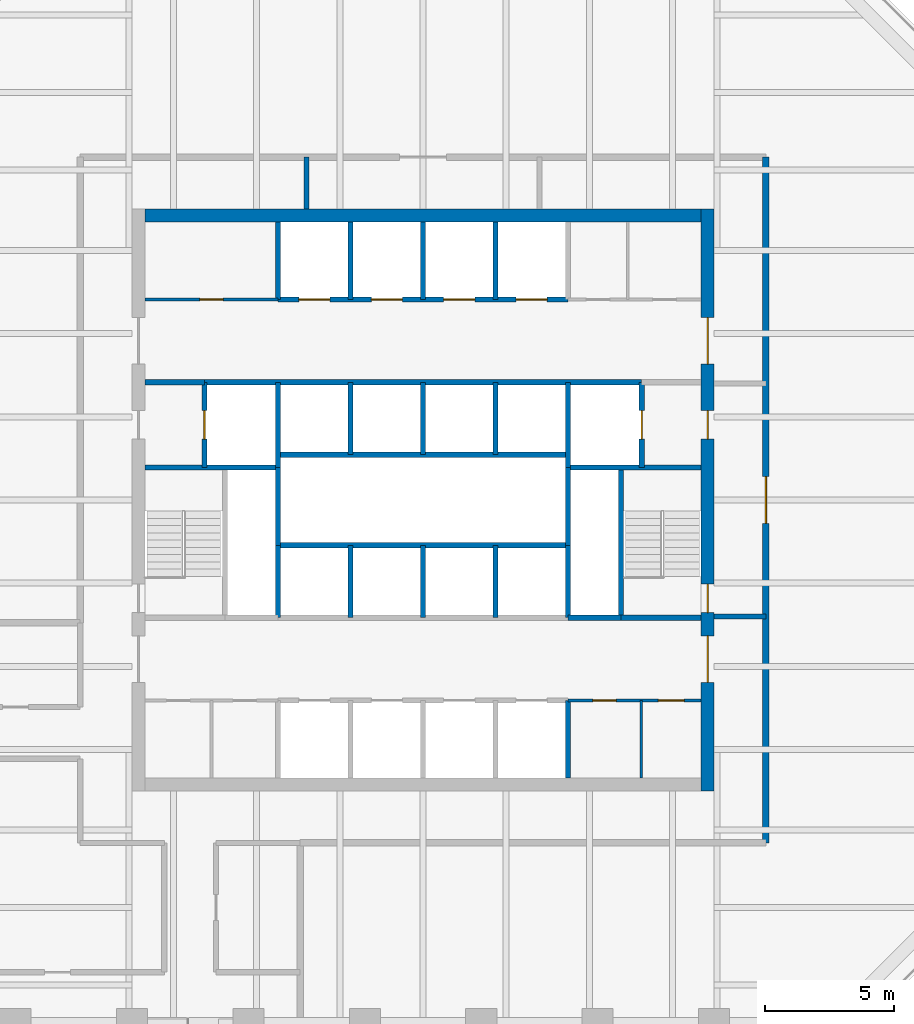
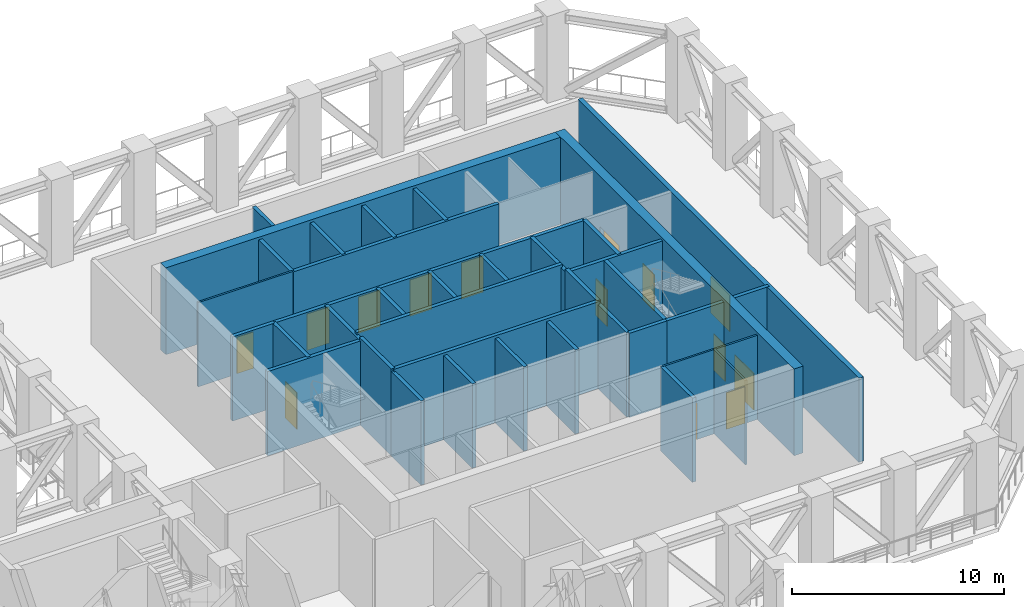
# One storey, part 7 of 16: 37 walls, 14 doors, 14 openings.
"""IFC4 building model written with IfcOpenShell, lengths in metres."""

import ifcopenshell
import ifcopenshell.guid

model = None  # the IFC model being written
_history = None  # IfcOwnerHistory: only IFC2X3 demands one
_inside = {}  # id of a spatial element -> (the spatial element, [elements in it])
_under = {}  # id of a project, library or spatial element -> (it, [spatial elements below it])
_declared = {}  # id of a project -> (the project, [libraries it declares])
_typed = {}  # id of a type object -> (the type object, [elements of that type])
_made_of = {}  # id of a material, layer set ... -> (it, [elements and type objects made of it])


def new_model(schema):
    """Start an empty IFC model of exactly this schema.

    Asked for "IFC4X3", IfcOpenShell would pick the latest addendum, in which some entities
    have other attributes; the version numbers below select the first issue.
    IFC2X3 requires an IfcOwnerHistory on every rooted entity: one is made here for all.
    """
    global model, _history
    if schema == "IFC4X3":
        model = ifcopenshell.file(schema_version=(4, 3, 0, 0))
    else:
        model = ifcopenshell.file(schema=schema)
    _inside.clear()
    _under.clear()
    _declared.clear()
    _typed.clear()
    _made_of.clear()
    _history = None
    if model.schema == "IFC2X3":
        org = make("IfcOrganization", Name="unknown")
        user = make(
            "IfcPersonAndOrganization",
            ThePerson=make("IfcPerson", FamilyName="unknown"),
            TheOrganization=org,
        )
        app = make(
            "IfcApplication",
            ApplicationDeveloper=org,
            Version="unknown",
            ApplicationFullName="unknown",
            ApplicationIdentifier="unknown",
        )
        _history = make(
            "IfcOwnerHistory",
            OwningUser=user,
            OwningApplication=app,
            ChangeAction="ADDED",
            CreationDate=0,
        )
    return model


def make(cls, **values):
    """One entity of the class cls with the attributes given. An attribute that is None is left unset."""
    return model.create_entity(
        cls, **{name: value for name, value in values.items() if value is not None}
    )


def rooted(cls, **values):
    """An entity with a GlobalId (a new one), such as an element, a storey or a relation."""
    return make(cls, GlobalId=ifcopenshell.guid.new(), OwnerHistory=_history, **values)


def si_unit(unit_type, name, prefix=None):
    """IfcSIUnit, for example si_unit("LENGTHUNIT", "METRE", prefix="MILLI")."""
    return make("IfcSIUnit", UnitType=unit_type, Prefix=prefix, Name=name)


def assignment(units):
    """IfcUnitAssignment: the units of a project."""
    return None if units is None else make("IfcUnitAssignment", Units=units)


def point(xyz):
    """IfcCartesianPoint."""
    return None if xyz is None else make("IfcCartesianPoint", Coordinates=xyz)


def direction(xyz):
    """IfcDirection."""
    return None if xyz is None else make("IfcDirection", DirectionRatios=xyz)


def frame(location, z_axis=None, x_axis=None):
    """IfcAxis2Placement3D, a coordinate frame: its origin and axes. An axis left out is left unset."""
    return make(
        "IfcAxis2Placement3D",
        Location=point(location),
        Axis=direction(z_axis),
        RefDirection=direction(x_axis),
    )


def frame_2d(location, x_axis=None):
    """IfcAxis2Placement2D, a coordinate frame in the plane: its origin and x axis."""
    return make(
        "IfcAxis2Placement2D", Location=point(location), RefDirection=direction(x_axis)
    )


def origin():
    """The frame at (0, 0, 0) with its axes left unset."""
    return frame((0.0, 0.0, 0.0))


def place(relative_to, where):
    """IfcLocalPlacement: puts the frame where relative to a parent placement (None: the world)."""
    return make(
        "IfcLocalPlacement", PlacementRelTo=relative_to, RelativePlacement=where
    )


def context(
    kind, dimensions, precision=None, world=None, true_north=None, identifier=None
):
    """IfcGeometricRepresentationContext, for example the 3D "Model" context."""
    return make(
        "IfcGeometricRepresentationContext",
        ContextIdentifier=identifier,
        ContextType=kind,
        CoordinateSpaceDimension=dimensions,
        Precision=precision,
        WorldCoordinateSystem=world,
        TrueNorth=true_north,
    )


def subcontext(parent, identifier, kind, view, scale=None):
    """IfcGeometricRepresentationSubContext, for example "Body" below "Model"."""
    return make(
        "IfcGeometricRepresentationSubContext",
        ContextIdentifier=identifier,
        ContextType=kind,
        ParentContext=parent,
        TargetScale=scale,
        TargetView=view,
    )


def project(units=None, contexts=None):
    """IfcProject with its units and contexts."""
    return rooted(
        "IfcProject",
        Name="project",
        RepresentationContexts=contexts,
        UnitsInContext=assignment(units),
    )


def spatial(cls, under=None, at=None, **own):
    """A site, building, storey or space (cls), placed at a placement, below another one or the project."""
    s = rooted(cls, ObjectPlacement=at, **own)
    if under is not None:
        _under.setdefault(under.id(), (under, []))[1].append(s)
    return s


def profile(cls, at=None, kind="AREA", **sizes):
    """A parametric profile (cls). Its sizes go by their IFC names, for example OverallWidth=200.0."""
    return make(cls, ProfileType=kind, Position=at, **sizes)


def rectangle(**sizes):
    """IfcRectangleProfileDef."""
    return profile("IfcRectangleProfileDef", **sizes)


def extrude(swept, where, along, depth):
    """IfcExtrudedAreaSolid: the profile swept, set in the frame where, extruded along a direction by depth."""
    return make(
        "IfcExtrudedAreaSolid",
        SweptArea=swept,
        Position=where,
        ExtrudedDirection=direction(along),
        Depth=depth,
    )


def shape(context_of_items, identifier, shape_type, items):
    """IfcShapeRepresentation: the items that make up one representation, for example the "Body"."""
    return make(
        "IfcShapeRepresentation",
        ContextOfItems=context_of_items,
        RepresentationIdentifier=identifier,
        RepresentationType=shape_type,
        Items=items,
    )


def material(Name=None, Category=None):
    """IfcMaterial."""
    return make("IfcMaterial", Name=Name, Category=Category)


def layer(
    of_material, thickness, ventilated=None, Name=None, Category=None, Priority=None
):
    """IfcMaterialLayer: one layer of a wall or slab, of a material (None: an air gap)."""
    return make(
        "IfcMaterialLayer",
        Material=of_material,
        LayerThickness=thickness,
        IsVentilated=ventilated,
        Name=Name,
        Category=Category,
        Priority=Priority,
    )


def layer_set(layers, Name=None):
    """IfcMaterialLayerSet."""
    return make("IfcMaterialLayerSet", MaterialLayers=layers, LayerSetName=Name)


def made_of(thing, what):
    """Note that an element or type object is made of a material, layer set ...; save() writes the relation."""
    if what is not None:
        _made_of.setdefault(what.id(), (what, []))[1].append(thing)
    return thing


def type_object(cls, material=None, **own):
    """A type object (cls), such as IfcWallType, which elements share."""
    return made_of(rooted(cls, **own), material)


def element(
    cls,
    number,
    at=None,
    inside=None,
    cuts=None,
    type_object=None,
    material=None,
    context=None,
    identifier="Body",
    shape_type=None,
    held_by="IfcProductDefinitionShape",
    body=None,
    shapes=None,
    **own,
):
    """One element of the class cls, such as IfcWall. Its Tag is "e" and its number.

    at: its placement. inside: the storey or other place that contains it. cuts: it is an
    opening in that element (IfcRelVoidsElement). A single representation is given by context,
    identifier, shape_type and body (its items); several are given by shapes. held_by: the class
    of the entity that holds the representations. save() writes the other relations.
    """
    e = rooted(cls, Tag="e%d" % number, ObjectPlacement=at, **own)
    if body is not None:
        shapes = [shape(context, identifier, shape_type, body)]
    if shapes is not None:
        e.Representation = make(held_by, Representations=shapes)
    if inside is not None:
        _inside.setdefault(inside.id(), (inside, []))[1].append(e)
    if cuts is not None:
        rooted(
            "IfcRelVoidsElement", RelatingBuildingElement=cuts, RelatedOpeningElement=e
        )
    if type_object is not None:
        _typed.setdefault(type_object.id(), (type_object, []))[1].append(e)
    return made_of(e, material)


def fill(opening, filler):
    """IfcRelFillsElement: the door or window that sits in an opening."""
    return rooted(
        "IfcRelFillsElement",
        RelatingOpeningElement=opening,
        RelatedBuildingElement=filler,
    )


def aggregate(whole, parts):
    """IfcRelAggregates: a whole, such as a stair, and the parts it consists of."""
    return rooted("IfcRelAggregates", RelatingObject=whole, RelatedObjects=parts)


def save(model, path):
    """Write the relations noted so far, then the file.

    IfcRelAggregates (storeys below a building ...), IfcRelContainedInSpatialStructure (elements
    in a storey), IfcRelDefinesByType, IfcRelAssociatesMaterial and IfcRelDeclares: one each for
    every whole, place, type object, material and project.
    """
    for whole, parts in _under.values():
        aggregate(whole, parts)
    for where, things in _inside.values():
        rooted(
            "IfcRelContainedInSpatialStructure",
            RelatedElements=things,
            RelatingStructure=where,
        )
    for kind, things in _typed.values():
        rooted("IfcRelDefinesByType", RelatedObjects=things, RelatingType=kind)
    for what, things in _made_of.values():
        rooted("IfcRelAssociatesMaterial", RelatedObjects=things, RelatingMaterial=what)
    for by, libraries in _declared.values():
        rooted("IfcRelDeclares", RelatingContext=by, RelatedDefinitions=libraries)
    model.write(path)


model = new_model("IFC4")

# Units and contexts
model_context = context("Model", 3, precision=1e-05, world=origin(), true_north=direction((0.0, 1.0)))
body_context = subcontext(model_context, "Body", "Model", "MODEL_VIEW")
ifc_project = project(units=[si_unit("LENGTHUNIT", "METRE"), si_unit("AREAUNIT", "SQUARE_METRE"), si_unit("VOLUMEUNIT", "CUBIC_METRE"), si_unit("PLANEANGLEUNIT", "RADIAN"), si_unit("MASSUNIT", "GRAM", prefix="KILO")], contexts=[model_context])

# Site, building, storey
site_placement = place(None, origin())
site = spatial("IfcSite", under=ifc_project, at=site_placement, CompositionType="ELEMENT")
building_placement = place(site_placement, origin())
building = spatial("IfcBuilding", under=site, at=building_placement, Name="Quoin Convention Tower", CompositionType="ELEMENT")
storey_placement = place(building_placement, frame((0.0, 0.0, 69.300048828125)))
storey = spatial("IfcBuildingStorey", under=building, at=storey_placement, Name="L18", CompositionType="ELEMENT", Elevation=69.300048828125)

# Wall, openings, doors
ifc_material_1 = material(Name="Plasterboard")
ifc_layer_1 = layer(ifc_material_1, 0.012451171875, Name="Finish")
ifc_material_2 = material(Name="Steel stud framing", Category="steel")
ifc_layer_2 = layer(ifc_material_2, 0.074951171875, Name="Structure")
ifc_layer_3 = layer(ifc_material_1, 0.012451171875, Name="Finish")
ifc_layer_set_1 = layer_set([ifc_layer_1, ifc_layer_2, ifc_layer_3], Name="Steel stud framing")
wall_type_1 = type_object("IfcWallType", Name="Core partition wall", PredefinedType="PARTITIONING", material=ifc_layer_set_1)
wall_1_placement = place(storey_placement, frame((61.85009765625, 53.0, 0.0), z_axis=(0.0, 0.0, 1.0), x_axis=(1.0, 0.0, 0.0)))
wall_1 = element("IfcWall", 1, at=wall_1_placement, inside=storey, type_object=wall_type_1, Name="cr-C1-L18-h3500_16850", PredefinedType="PARTITIONING", context=body_context, shape_type="SweptSolid", body=[
    extrude(rectangle(XDim=5.14990234375, YDim=0.10009765625, at=frame_2d((2.574951171875, 0.0))), origin(), (0.0, 0.0, 1.0), 4.849853515625),
])
opening_1_placement = place(wall_1_placement, frame((3.4912109375, 0.0, 0.0)))
opening_1 = element("IfcOpeningElement", 2, at=opening_1_placement, cuts=wall_1, Name="Opening DCV0-30", PredefinedType="OPENING", context=body_context, shape_type="SweptSolid", body=[
    extrude(rectangle(XDim=1.0, YDim=2.10009765625, at=frame_2d((0.5, 1.050048828125))), frame((0.0, 0.06005859375, 0.0), z_axis=(0.0, -1.0, 0.0), x_axis=(1.0, 0.0, 0.0)), (0.0, 0.0, 1.0), 0.1201171875),
])
opening_2_placement = place(wall_1_placement, frame((0.96630859375, 0.0, 0.0)))
opening_2 = element("IfcOpeningElement", 3, at=opening_2_placement, cuts=wall_1, Name="Opening DCV0-27", PredefinedType="OPENING", context=body_context, shape_type="SweptSolid", body=[
    extrude(rectangle(XDim=0.89990234375, YDim=2.10009765625, at=frame_2d((0.449951171875, 1.050048828125))), frame((0.0, 0.06005859375, 0.0), z_axis=(0.0, -1.0, 0.0), x_axis=(1.0, 0.0, 0.0)), (0.0, 0.0, 1.0), 0.1201171875),
])
ifc_material_3 = material(Name="Steel door leaf", Category="steel")
door_type_1 = type_object("IfcDoorType", Name="Core room door 1000 x 2100", OperationType="SINGLE_SWING_LEFT", PredefinedType="DOOR", material=ifc_material_3)
door_1_placement = place(opening_1_placement, frame((1.0, 0.0, 0.0), z_axis=(0.0, 0.0, 1.0), x_axis=(-1.0, 0.0, 0.0)))
door_1 = element("IfcDoor", 4, at=door_1_placement, inside=storey, type_object=door_type_1, Name="cd-C1-L18-CSE0-lobA-CD1810", OperationType="SINGLE_SWING_LEFT", OverallHeight=2.10009765625, OverallWidth=1.0, PredefinedType="DOOR", context=body_context, shape_type="SweptSolid", body=[
    extrude(rectangle(XDim=1.0, YDim=2.10009765625, at=frame_2d((0.5, 1.050048828125))), frame((0.0, 0.02490234375, 0.0), z_axis=(0.0, -1.0, 0.0), x_axis=(1.0, 0.0, 0.0)), (0.0, 0.0, 1.0), 0.050048828125),
])
fill(opening_1, door_1)
door_type_2 = type_object("IfcDoorType", Name="Core room door 900 x 2100", OperationType="SINGLE_SWING_LEFT", PredefinedType="DOOR", material=ifc_material_3)
door_2_placement = place(opening_2_placement, frame((0.89990234375, 0.0, 0.0), z_axis=(0.0, 0.0, 1.0), x_axis=(-1.0, 0.0, 0.0)))
door_2 = element("IfcDoor", 5, at=door_2_placement, inside=storey, type_object=door_type_2, Name="cd-C1-L18-CSE1-lobA-CD1811", OperationType="SINGLE_SWING_RIGHT", OverallHeight=2.10009765625, OverallWidth=0.89990234375, PredefinedType="DOOR", context=body_context, shape_type="SweptSolid", body=[
    extrude(rectangle(XDim=0.89990234375, YDim=2.10009765625, at=frame_2d((0.449951171875, 1.050048828125))), frame((0.0, 0.02490234375, 0.0), z_axis=(0.0, -1.0, 0.0), x_axis=(1.0, 0.0, 0.0)), (0.0, 0.0, 1.0), 0.050048828125),
])
fill(opening_2, door_2)

# Wall, opening, door
wall_2_placement = place(storey_placement, frame((45.5, 68.5, 0.0), z_axis=(0.0, 0.0, 1.0), x_axis=(1.0, 0.0, 0.0)))
wall_2 = element("IfcWall", 6, at=wall_2_placement, inside=storey, type_object=wall_type_1, Name="cr-C1-L18-h19000_500", PredefinedType="PARTITIONING", context=body_context, shape_type="SweptSolid", body=[
    extrude(rectangle(XDim=5.14990234375, YDim=0.10009765625, at=frame_2d((2.574951171875, 0.0))), origin(), (0.0, 0.0, 1.0), 4.849853515625),
])
opening_3_placement = place(wall_2_placement, frame((2.125, 0.0, 0.0)))
opening_3 = element("IfcOpeningElement", 7, at=opening_3_placement, cuts=wall_2, Name="Opening DCV0-24", PredefinedType="OPENING", context=body_context, shape_type="SweptSolid", body=[
    extrude(rectangle(XDim=0.89990234375, YDim=2.10009765625, at=frame_2d((0.449951171875, 1.050048828125))), frame((0.0, 0.06005859375, 0.0), z_axis=(0.0, -1.0, 0.0), x_axis=(1.0, 0.0, 0.0)), (0.0, 0.0, 1.0), 0.1201171875),
])
door_3_placement = place(opening_3_placement, origin())
door_3 = element("IfcDoor", 8, at=door_3_placement, inside=storey, type_object=door_type_2, Name="cd-C1-L18-CNW0-lobB-CD1809", OperationType="SINGLE_SWING_RIGHT", OverallHeight=2.10009765625, OverallWidth=0.89990234375, PredefinedType="DOOR", context=body_context, shape_type="SweptSolid", body=[
    extrude(rectangle(XDim=0.89990234375, YDim=2.10009765625, at=frame_2d((0.449951171875, 1.050048828125))), frame((0.0, 0.02490234375, 0.0), z_axis=(0.0, -1.0, 0.0), x_axis=(1.0, 0.0, 0.0)), (0.0, 0.0, 1.0), 0.050048828125),
])
fill(opening_3, door_3)

# Walls
wall_3_placement = place(storey_placement, frame((64.6826171875, 50.0, 0.0), z_axis=(0.0, 0.0, 1.0), x_axis=(0.0, 1.0, 0.0)))
element("IfcWall", 9, at=wall_3_placement, inside=storey, type_object=wall_type_1, Name="cr-C1-L18-v19682_500", PredefinedType="PARTITIONING", context=body_context, shape_type="SweptSolid", body=[
    extrude(rectangle(XDim=3.0, YDim=0.10009765625, at=frame_2d((1.5, 0.0))), origin(), (0.0, 0.0, 1.0), 4.849853515625),
])
ifc_material_4 = material(Name="Concrete C50", Category="concrete")
ifc_layer_4 = layer(ifc_material_4, 0.199951171875)
ifc_layer_set_2 = layer_set([ifc_layer_4], Name="Concrete C50")
wall_type_2 = type_object("IfcWallType", Name="Core shaft wall", PredefinedType="SOLIDWALL", material=ifc_layer_set_2)
wall_4_placement = place(storey_placement, frame((61.85009765625, 56.199951171875, 0.0), z_axis=(0.0, 0.0, 1.0), x_axis=(1.0, 0.0, 0.0)))
element("IfcWall", 10, at=wall_4_placement, inside=storey, type_object=wall_type_2, Name="cr-C1-L18-h6700_16850", PredefinedType="SOLIDWALL", context=body_context, shape_type="SweptSolid", body=[
    extrude(rectangle(XDim=2.0498046875, YDim=0.199951171875, at=frame_2d((1.02490234375, 0.0))), origin(), (0.0, 0.0, 1.0), 4.849853515625),
])
wall_5_placement = place(storey_placement, frame((63.89990234375, 56.199951171875, 0.0), z_axis=(0.0, 0.0, 1.0), x_axis=(1.0, 0.0, 0.0)))
element("IfcWall", 11, at=wall_5_placement, inside=storey, type_object=wall_type_2, Name="cr-C1-L18-h6700_18900", PredefinedType="SOLIDWALL", context=body_context, shape_type="SweptSolid", body=[
    extrude(rectangle(XDim=3.10009765625, YDim=0.199951171875, at=frame_2d((1.550048828125, 0.0))), origin(), (0.0, 0.0, 1.0), 4.849853515625),
])
for number, where, z_axis, x_axis, name in (
    (12, (45.5, 62.0, 0.0), (0.0, 0.0, 1.0), (1.0, 0.0, 0.0), "cr-C1-L18-h12500_500"),
    (13, (61.85009765625, 62.0, 0.0), (0.0, 0.0, 1.0), (1.0, 0.0, 0.0), "cr-C1-L18-h12500_16850"),
):
    element("IfcWall", number, at=place(storey_placement, frame(where, z_axis=z_axis, x_axis=x_axis)), inside=storey, type_object=wall_type_2, Name=name, PredefinedType="SOLIDWALL", context=body_context, shape_type="SweptSolid", body=[
        extrude(rectangle(XDim=5.14990234375, YDim=0.199951171875, at=frame_2d((2.574951171875, 0.0))), origin(), (0.0, 0.0, 1.0), 4.849853515625),
    ])
wall_6_placement = place(storey_placement, frame((45.5, 65.300048828125, 0.0), z_axis=(0.0, 0.0, 1.0), x_axis=(1.0, 0.0, 0.0)))
element("IfcWall", 14, at=wall_6_placement, inside=storey, type_object=wall_type_2, Name="cr-C1-L18-h15800_500", PredefinedType="SOLIDWALL", context=body_context, shape_type="SweptSolid", body=[
    extrude(rectangle(XDim=2.300048828125, YDim=0.199951171875, at=frame_2d((1.14990234375, 0.0))), origin(), (0.0, 0.0, 1.0), 4.849853515625),
])
wall_7_placement = place(storey_placement, frame((47.800048828125, 65.300048828125, 0.0), z_axis=(0.0, 0.0, 1.0), x_axis=(1.0, 0.0, 0.0)))
element("IfcWall", 15, at=wall_7_placement, inside=storey, type_object=wall_type_2, Name="cr-C1-L18-h15800_2800", PredefinedType="SOLIDWALL", context=body_context, shape_type="SweptSolid", body=[
    extrude(rectangle(XDim=16.89990234375, YDim=0.199951171875, at=frame_2d((8.449951171875, 0.0))), origin(), (0.0, 0.0, 1.0), 4.849853515625),
])

# Wall, openings, doors
wall_8_placement = place(storey_placement, frame((50.64990234375, 68.5, 0.0), z_axis=(0.0, 0.0, 1.0), x_axis=(1.0, 0.0, 0.0)))
wall_8 = element("IfcWall", 16, at=wall_8_placement, inside=storey, type_object=wall_type_2, Name="cr-C1-L18-h19000_5650", PredefinedType="SOLIDWALL", context=body_context, shape_type="SweptSolid", body=[
    extrude(rectangle(XDim=11.2001953125, YDim=0.199951171875, at=frame_2d((5.60009765625, 0.0))), origin(), (0.0, 0.0, 1.0), 4.849853515625),
])
opening_4_placement = place(wall_8_placement, frame((0.800048828125, 0.0, 0.0)))
opening_4 = element("IfcOpeningElement", 17, at=opening_4_placement, cuts=wall_8, Name="Opening LDL5", PredefinedType="OPENING", context=body_context, shape_type="SweptSolid", body=[
    extrude(rectangle(XDim=1.199951171875, YDim=2.10009765625, at=frame_2d((0.60009765625, 1.050048828125))), frame((0.0, 0.10986328125, 0.0), z_axis=(0.0, -1.0, 0.0), x_axis=(1.0, 0.0, 0.0)), (0.0, 0.0, 1.0), 0.219970703125),
])
opening_5_placement = place(wall_8_placement, frame((3.60009765625, 0.0, 0.0)))
opening_5 = element("IfcOpeningElement", 18, at=opening_5_placement, cuts=wall_8, Name="Opening LDL6", PredefinedType="OPENING", context=body_context, shape_type="SweptSolid", body=[
    extrude(rectangle(XDim=1.199951171875, YDim=2.10009765625, at=frame_2d((0.60009765625, 1.050048828125))), frame((0.0, 0.10986328125, 0.0), z_axis=(0.0, -1.0, 0.0), x_axis=(1.0, 0.0, 0.0)), (0.0, 0.0, 1.0), 0.219970703125),
])
opening_6_placement = place(wall_8_placement, frame((6.39990234375, 0.0, 0.0)))
opening_6 = element("IfcOpeningElement", 19, at=opening_6_placement, cuts=wall_8, Name="Opening LDL7", PredefinedType="OPENING", context=body_context, shape_type="SweptSolid", body=[
    extrude(rectangle(XDim=1.199951171875, YDim=2.10009765625, at=frame_2d((0.60009765625, 1.050048828125))), frame((0.0, 0.10986328125, 0.0), z_axis=(0.0, -1.0, 0.0), x_axis=(1.0, 0.0, 0.0)), (0.0, 0.0, 1.0), 0.219970703125),
])
opening_7_placement = place(wall_8_placement, frame((9.199951171875, 0.0, 0.0)))
opening_7 = element("IfcOpeningElement", 20, at=opening_7_placement, cuts=wall_8, Name="Opening LDL8", PredefinedType="OPENING", context=body_context, shape_type="SweptSolid", body=[
    extrude(rectangle(XDim=1.199951171875, YDim=2.10009765625, at=frame_2d((0.60009765625, 1.050048828125))), frame((0.0, 0.10986328125, 0.0), z_axis=(0.0, -1.0, 0.0), x_axis=(1.0, 0.0, 0.0)), (0.0, 0.0, 1.0), 0.219970703125),
])
door_type_3 = type_object("IfcDoorType", Name="Lift landing door 1200 x 2100", OperationType="DOUBLE_DOOR_SLIDING", PredefinedType="DOOR", material=ifc_material_3)
door_4_placement = place(opening_4_placement, origin())
door_4 = element("IfcDoor", 21, at=door_4_placement, inside=storey, type_object=door_type_3, Name="cd-C1-L18-R40-lobB-LDL5", OperationType="DOUBLE_DOOR_SLIDING", OverallHeight=2.10009765625, OverallWidth=1.199951171875, PredefinedType="DOOR", context=body_context, shape_type="SweptSolid", body=[
    extrude(rectangle(XDim=1.199951171875, YDim=2.10009765625, at=frame_2d((0.60009765625, 1.050048828125))), frame((0.0, 0.02490234375, 0.0), z_axis=(0.0, -1.0, 0.0), x_axis=(1.0, 0.0, 0.0)), (0.0, 0.0, 1.0), 0.050048828125),
])
fill(opening_4, door_4)
door_5_placement = place(opening_5_placement, origin())
door_5 = element("IfcDoor", 22, at=door_5_placement, inside=storey, type_object=door_type_3, Name="cd-C1-L18-R41-lobB-LDL6", OperationType="DOUBLE_DOOR_SLIDING", OverallHeight=2.10009765625, OverallWidth=1.199951171875, PredefinedType="DOOR", context=body_context, shape_type="SweptSolid", body=[
    extrude(rectangle(XDim=1.199951171875, YDim=2.10009765625, at=frame_2d((0.60009765625, 1.050048828125))), frame((0.0, 0.02490234375, 0.0), z_axis=(0.0, -1.0, 0.0), x_axis=(1.0, 0.0, 0.0)), (0.0, 0.0, 1.0), 0.050048828125),
])
fill(opening_5, door_5)
door_6_placement = place(opening_6_placement, origin())
door_6 = element("IfcDoor", 23, at=door_6_placement, inside=storey, type_object=door_type_3, Name="cd-C1-L18-R42-lobB-LDL7", OperationType="DOUBLE_DOOR_SLIDING", OverallHeight=2.10009765625, OverallWidth=1.199951171875, PredefinedType="DOOR", context=body_context, shape_type="SweptSolid", body=[
    extrude(rectangle(XDim=1.199951171875, YDim=2.10009765625, at=frame_2d((0.60009765625, 1.050048828125))), frame((0.0, 0.02490234375, 0.0), z_axis=(0.0, -1.0, 0.0), x_axis=(1.0, 0.0, 0.0)), (0.0, 0.0, 1.0), 0.050048828125),
])
fill(opening_6, door_6)
door_7_placement = place(opening_7_placement, origin())
door_7 = element("IfcDoor", 24, at=door_7_placement, inside=storey, type_object=door_type_3, Name="cd-C1-L18-R43-lobB-LDL8", OperationType="DOUBLE_DOOR_SLIDING", OverallHeight=2.10009765625, OverallWidth=1.199951171875, PredefinedType="DOOR", context=body_context, shape_type="SweptSolid", body=[
    extrude(rectangle(XDim=1.199951171875, YDim=2.10009765625, at=frame_2d((0.60009765625, 1.050048828125))), frame((0.0, 0.02490234375, 0.0), z_axis=(0.0, -1.0, 0.0), x_axis=(1.0, 0.0, 0.0)), (0.0, 0.0, 1.0), 0.050048828125),
])
fill(opening_7, door_7)

# Wall, opening, door
wall_9_placement = place(storey_placement, frame((47.800048828125, 62.0, 0.0), z_axis=(0.0, 0.0, 1.0), x_axis=(0.0, 1.0, 0.0)))
wall_9 = element("IfcWall", 25, at=wall_9_placement, inside=storey, type_object=wall_type_2, Name="cr-C1-L18-v2800_12500", PredefinedType="SOLIDWALL", context=body_context, shape_type="SweptSolid", body=[
    extrude(rectangle(XDim=3.300048828125, YDim=0.199951171875, at=frame_2d((1.64990234375, 0.0))), origin(), (0.0, 0.0, 1.0), 4.849853515625),
])
opening_8_placement = place(wall_9_placement, frame((1.10009765625, 0.0, 0.0)))
opening_8 = element("IfcOpeningElement", 26, at=opening_8_placement, cuts=wall_9, Name="Opening LDFL1", PredefinedType="OPENING", context=body_context, shape_type="SweptSolid", body=[
    extrude(rectangle(XDim=1.10009765625, YDim=2.10009765625, at=frame_2d((0.550048828125, 1.050048828125))), frame((0.0, 0.10986328125, 0.0), z_axis=(0.0, -1.0, 0.0), x_axis=(1.0, 0.0, 0.0)), (0.0, 0.0, 1.0), 0.219970703125),
])
door_type_4 = type_object("IfcDoorType", Name="Lift landing door 1100 x 2100", OperationType="DOUBLE_DOOR_SLIDING", PredefinedType="DOOR", material=ifc_material_3)
door_8_placement = place(opening_8_placement, origin())
door_8 = element("IfcDoor", 27, at=door_8_placement, inside=storey, type_object=door_type_4, Name="cd-C1-L18-FLW-FFW-LDFL1", OperationType="DOUBLE_DOOR_SLIDING", OverallHeight=2.10009765625, OverallWidth=1.10009765625, PredefinedType="DOOR", context=body_context, shape_type="SweptSolid", body=[
    extrude(rectangle(XDim=1.10009765625, YDim=2.10009765625, at=frame_2d((0.550048828125, 1.050048828125))), frame((0.0, 0.02490234375, 0.0), z_axis=(0.0, -1.0, 0.0), x_axis=(1.0, 0.0, 0.0)), (0.0, 0.0, 1.0), 0.050048828125),
])
fill(opening_8, door_8)

# Walls
wall_10_placement = place(storey_placement, frame((50.64990234375, 56.199951171875, 0.0), z_axis=(0.0, 0.0, 1.0), x_axis=(0.0, 1.0, 0.0)))
element("IfcWall", 28, at=wall_10_placement, inside=storey, type_object=wall_type_2, Name="cr-C1-L18-v5650_6700", PredefinedType="SOLIDWALL", context=body_context, shape_type="SweptSolid", body=[
    extrude(rectangle(XDim=2.800048828125, YDim=0.199951171875, at=frame_2d((1.39990234375, 0.0))), origin(), (0.0, 0.0, 1.0), 4.849853515625),
])
wall_11_placement = place(storey_placement, frame((50.64990234375, 62.0, 0.0), z_axis=(0.0, 0.0, 1.0), x_axis=(0.0, 1.0, 0.0)))
element("IfcWall", 29, at=wall_11_placement, inside=storey, type_object=wall_type_2, Name="cr-C1-L18-v5650_12500", PredefinedType="SOLIDWALL", context=body_context, shape_type="SweptSolid", body=[
    extrude(rectangle(XDim=3.300048828125, YDim=0.199951171875, at=frame_2d((1.64990234375, 0.0))), origin(), (0.0, 0.0, 1.0), 4.849853515625),
])
wall_12_placement = place(storey_placement, frame((50.64990234375, 68.5, 0.0), z_axis=(0.0, 0.0, 1.0), x_axis=(0.0, 1.0, 0.0)))
element("IfcWall", 30, at=wall_12_placement, inside=storey, type_object=wall_type_2, Name="cr-C1-L18-v5650_19000", PredefinedType="SOLIDWALL", context=body_context, shape_type="SweptSolid", body=[
    extrude(rectangle(XDim=3.0, YDim=0.199951171875, at=frame_2d((1.5, 0.0))), origin(), (0.0, 0.0, 1.0), 4.849853515625),
])
for number, where, z_axis, x_axis, name in (
    (31, (53.449951171875, 56.199951171875, 0.0), (0.0, 0.0, 1.0), (0.0, 1.0, 0.0), "cr-C1-L18-v8450_6700"),
    (32, (53.449951171875, 62.5, 0.0), (0.0, 0.0, 1.0), (0.0, 1.0, 0.0), "cr-C1-L18-v8450_13000"),
):
    element("IfcWall", number, at=place(storey_placement, frame(where, z_axis=z_axis, x_axis=x_axis)), inside=storey, type_object=wall_type_2, Name=name, PredefinedType="SOLIDWALL", context=body_context, shape_type="SweptSolid", body=[
        extrude(rectangle(XDim=2.800048828125, YDim=0.199951171875, at=frame_2d((1.39990234375, 0.0))), origin(), (0.0, 0.0, 1.0), 4.849853515625),
    ])
wall_13_placement = place(storey_placement, frame((53.449951171875, 68.5, 0.0), z_axis=(0.0, 0.0, 1.0), x_axis=(0.0, 1.0, 0.0)))
element("IfcWall", 33, at=wall_13_placement, inside=storey, type_object=wall_type_2, Name="cr-C1-L18-v8450_19000", PredefinedType="SOLIDWALL", context=body_context, shape_type="SweptSolid", body=[
    extrude(rectangle(XDim=3.0, YDim=0.199951171875, at=frame_2d((1.5, 0.0))), origin(), (0.0, 0.0, 1.0), 4.849853515625),
])
for number, where, z_axis, x_axis, name in (
    (34, (56.25, 56.199951171875, 0.0), (0.0, 0.0, 1.0), (0.0, 1.0, 0.0), "cr-C1-L18-v11250_6700"),
    (35, (56.25, 62.5, 0.0), (0.0, 0.0, 1.0), (0.0, 1.0, 0.0), "cr-C1-L18-v11250_13000"),
):
    element("IfcWall", number, at=place(storey_placement, frame(where, z_axis=z_axis, x_axis=x_axis)), inside=storey, type_object=wall_type_2, Name=name, PredefinedType="SOLIDWALL", context=body_context, shape_type="SweptSolid", body=[
        extrude(rectangle(XDim=2.800048828125, YDim=0.199951171875, at=frame_2d((1.39990234375, 0.0))), origin(), (0.0, 0.0, 1.0), 4.849853515625),
    ])
wall_14_placement = place(storey_placement, frame((56.25, 68.5, 0.0), z_axis=(0.0, 0.0, 1.0), x_axis=(0.0, 1.0, 0.0)))
element("IfcWall", 36, at=wall_14_placement, inside=storey, type_object=wall_type_2, Name="cr-C1-L18-v11250_19000", PredefinedType="SOLIDWALL", context=body_context, shape_type="SweptSolid", body=[
    extrude(rectangle(XDim=3.0, YDim=0.199951171875, at=frame_2d((1.5, 0.0))), origin(), (0.0, 0.0, 1.0), 4.849853515625),
])
for number, where, z_axis, x_axis, name in (
    (37, (59.050048828125, 56.199951171875, 0.0), (0.0, 0.0, 1.0), (0.0, 1.0, 0.0), "cr-C1-L18-v14050_6700"),
    (38, (59.050048828125, 62.5, 0.0), (0.0, 0.0, 1.0), (0.0, 1.0, 0.0), "cr-C1-L18-v14050_13000"),
):
    element("IfcWall", number, at=place(storey_placement, frame(where, z_axis=z_axis, x_axis=x_axis)), inside=storey, type_object=wall_type_2, Name=name, PredefinedType="SOLIDWALL", context=body_context, shape_type="SweptSolid", body=[
        extrude(rectangle(XDim=2.800048828125, YDim=0.199951171875, at=frame_2d((1.39990234375, 0.0))), origin(), (0.0, 0.0, 1.0), 4.849853515625),
    ])
for number, where, z_axis, x_axis, name in (
    (39, (59.050048828125, 68.5, 0.0), (0.0, 0.0, 1.0), (0.0, 1.0, 0.0), "cr-C1-L18-v14050_19000"),
    (40, (61.85009765625, 50.0, 0.0), (0.0, 0.0, 1.0), (0.0, 1.0, 0.0), "cr-C1-L18-v16850_500"),
):
    element("IfcWall", number, at=place(storey_placement, frame(where, z_axis=z_axis, x_axis=x_axis)), inside=storey, type_object=wall_type_2, Name=name, PredefinedType="SOLIDWALL", context=body_context, shape_type="SweptSolid", body=[
        extrude(rectangle(XDim=3.0, YDim=0.199951171875, at=frame_2d((1.5, 0.0))), origin(), (0.0, 0.0, 1.0), 4.849853515625),
    ])
wall_15_placement = place(storey_placement, frame((61.85009765625, 56.199951171875, 0.0), z_axis=(0.0, 0.0, 1.0), x_axis=(0.0, 1.0, 0.0)))
element("IfcWall", 41, at=wall_15_placement, inside=storey, type_object=wall_type_2, Name="cr-C1-L18-v16850_6700", PredefinedType="SOLIDWALL", context=body_context, shape_type="SweptSolid", body=[
    extrude(rectangle(XDim=2.800048828125, YDim=0.199951171875, at=frame_2d((1.39990234375, 0.0))), origin(), (0.0, 0.0, 1.0), 4.849853515625),
])
wall_16_placement = place(storey_placement, frame((61.85009765625, 62.0, 0.0), z_axis=(0.0, 0.0, 1.0), x_axis=(0.0, 1.0, 0.0)))
element("IfcWall", 42, at=wall_16_placement, inside=storey, type_object=wall_type_2, Name="cr-C1-L18-v16850_12500", PredefinedType="SOLIDWALL", context=body_context, shape_type="SweptSolid", body=[
    extrude(rectangle(XDim=3.300048828125, YDim=0.199951171875, at=frame_2d((1.64990234375, 0.0))), origin(), (0.0, 0.0, 1.0), 4.849853515625),
])
wall_17_placement = place(storey_placement, frame((63.89990234375, 56.199951171875, 0.0), z_axis=(0.0, 0.0, 1.0), x_axis=(0.0, 1.0, 0.0)))
element("IfcWall", 43, at=wall_17_placement, inside=storey, type_object=wall_type_2, Name="cr-C1-L18-v18900_6700", PredefinedType="SOLIDWALL", context=body_context, shape_type="SweptSolid", body=[
    extrude(rectangle(XDim=5.800048828125, YDim=0.199951171875, at=frame_2d((2.89990234375, 0.0))), origin(), (0.0, 0.0, 1.0), 4.849853515625),
])

# Wall, opening, door
wall_18_placement = place(storey_placement, frame((64.699951171875, 62.0, 0.0), z_axis=(0.0, 0.0, 1.0), x_axis=(0.0, 1.0, 0.0)))
wall_18 = element("IfcWall", 44, at=wall_18_placement, inside=storey, type_object=wall_type_2, Name="cr-C1-L18-v19700_12500", PredefinedType="SOLIDWALL", context=body_context, shape_type="SweptSolid", body=[
    extrude(rectangle(XDim=3.300048828125, YDim=0.199951171875, at=frame_2d((1.64990234375, 0.0))), origin(), (0.0, 0.0, 1.0), 4.849853515625),
])
opening_9_placement = place(wall_18_placement, frame((1.10009765625, 0.0, 0.0)))
opening_9 = element("IfcOpeningElement", 45, at=opening_9_placement, cuts=wall_18, Name="Opening LDFL2", PredefinedType="OPENING", context=body_context, shape_type="SweptSolid", body=[
    extrude(rectangle(XDim=1.10009765625, YDim=2.10009765625, at=frame_2d((0.550048828125, 1.050048828125))), frame((0.0, 0.10986328125, 0.0), z_axis=(0.0, -1.0, 0.0), x_axis=(1.0, 0.0, 0.0)), (0.0, 0.0, 1.0), 0.219970703125),
])
door_9_placement = place(opening_9_placement, origin())
door_9 = element("IfcDoor", 46, at=door_9_placement, inside=storey, type_object=door_type_4, Name="cd-C1-L18-FLE-FFE-LDFL2", OperationType="DOUBLE_DOOR_SLIDING", OverallHeight=2.10009765625, OverallWidth=1.10009765625, PredefinedType="DOOR", context=body_context, shape_type="SweptSolid", body=[
    extrude(rectangle(XDim=1.10009765625, YDim=2.10009765625, at=frame_2d((0.550048828125, 1.050048828125))), frame((0.0, 0.02490234375, 0.0), z_axis=(0.0, -1.0, 0.0), x_axis=(1.0, 0.0, 0.0)), (0.0, 0.0, 1.0), 0.050048828125),
])
fill(opening_9, door_9)

# Walls
ifc_layer_5 = layer(ifc_material_4, 0.199951171875)
ifc_layer_set_3 = layer_set([ifc_layer_5], Name="Concrete C50")
wall_type_3 = type_object("IfcWallType", Name="Core shaft wall to the floor level over", PredefinedType="SOLIDWALL", material=ifc_layer_set_3)
for number, where, z_axis, x_axis, name in (
    (47, (50.64990234375, 59.0, 0.0), (0.0, 0.0, 1.0), (1.0, 0.0, 0.0), "cr-C1-L18-h9500_5650"),
    (48, (50.64990234375, 62.5, 0.0), (0.0, 0.0, 1.0), (1.0, 0.0, 0.0), "cr-C1-L18-h13000_5650"),
):
    element("IfcWall", number, at=place(storey_placement, frame(where, z_axis=z_axis, x_axis=x_axis)), inside=storey, type_object=wall_type_3, Name=name, PredefinedType="SOLIDWALL", context=body_context, shape_type="SweptSolid", body=[
        extrude(rectangle(XDim=11.2001953125, YDim=0.199951171875, at=frame_2d((5.60009765625, 0.0))), origin(), (0.0, 0.0, 1.0), 5.0),
    ])
for number, where, z_axis, x_axis, name in (
    (49, (50.64990234375, 59.0, 0.0), (0.0, 0.0, 1.0), (0.0, 1.0, 0.0), "cr-C1-L18-v5650_9500"),
    (50, (61.85009765625, 59.0, 0.0), (0.0, 0.0, 1.0), (0.0, 1.0, 0.0), "cr-C1-L18-v16850_9500"),
):
    element("IfcWall", number, at=place(storey_placement, frame(where, z_axis=z_axis, x_axis=x_axis)), inside=storey, type_object=wall_type_3, Name=name, PredefinedType="SOLIDWALL", context=body_context, shape_type="SweptSolid", body=[
        extrude(rectangle(XDim=3.0, YDim=0.199951171875, at=frame_2d((1.5, 0.0))), origin(), (0.0, 0.0, 1.0), 5.0),
    ])
ifc_material_5 = material(Name="Concrete C80", Category="concrete")
ifc_layer_6 = layer(ifc_material_5, 0.5)
ifc_layer_set_4 = layer_set([ifc_layer_6], Name="Concrete C80")
wall_type_4 = type_object("IfcWallType", Name="RC CORE WALL 500 C80", PredefinedType="SHEAR", material=ifc_layer_set_4)
wall_19_placement = place(storey_placement, frame((45.5, 71.75, 0.0), z_axis=(0.0, 0.0, 1.0), x_axis=(1.0, 0.0, 0.0)))
element("IfcWall", 51, at=wall_19_placement, inside=storey, type_object=wall_type_4, Name="cwl-C1-L18-N", PredefinedType="SHEAR", context=body_context, shape_type="SweptSolid", body=[
    extrude(rectangle(XDim=21.5, YDim=0.5, at=frame_2d((10.75, 0.0))), origin(), (0.0, 0.0, 1.0), 5.0),
])

# Wall, openings, doors
wall_20_placement = place(storey_placement, frame((67.25, 49.5, 0.0), z_axis=(0.0, 0.0, 1.0), x_axis=(0.0, 1.0, 0.0)))
wall_20 = element("IfcWall", 52, at=wall_20_placement, inside=storey, type_object=wall_type_4, Name="cwl-C1-L18-E", PredefinedType="SHEAR", context=body_context, shape_type="SweptSolid", body=[
    extrude(rectangle(XDim=22.5, YDim=0.5, at=frame_2d((11.25, 0.0))), origin(), (0.0, 0.0, 1.0), 5.0),
])
opening_10_placement = place(wall_20_placement, frame((4.199951171875, 0.0, 0.0)))
opening_10 = element("IfcOpeningElement", 53, at=opening_10_placement, cuts=wall_20, Name="Opening DCV0-57", PredefinedType="OPENING", context=body_context, shape_type="SweptSolid", body=[
    extrude(rectangle(XDim=1.800048828125, YDim=2.10009765625, at=frame_2d((0.89990234375, 1.050048828125))), frame((0.0, 0.260009765625, 0.0), z_axis=(0.0, -1.0, 0.0), x_axis=(1.0, 0.0, 0.0)), (0.0, 0.0, 1.0), 0.52001953125),
])
opening_11_placement = place(wall_20_placement, frame((6.89990234375, 0.0, 0.0)))
opening_11 = element("IfcOpeningElement", 54, at=opening_11_placement, cuts=wall_20, Name="Opening SD2", PredefinedType="OPENING", context=body_context, shape_type="SweptSolid", body=[
    extrude(rectangle(XDim=1.10009765625, YDim=2.10009765625, at=frame_2d((0.550048828125, 1.050048828125))), frame((0.0, 0.260009765625, 0.0), z_axis=(0.0, -1.0, 0.0), x_axis=(1.0, 0.0, 0.0)), (0.0, 0.0, 1.0), 0.52001953125),
])
opening_12_placement = place(wall_20_placement, frame((13.60009765625, 0.0, 0.0)))
opening_12 = element("IfcOpeningElement", 55, at=opening_12_placement, cuts=wall_20, Name="Opening DCV0-56", PredefinedType="OPENING", context=body_context, shape_type="SweptSolid", body=[
    extrude(rectangle(XDim=1.10009765625, YDim=2.10009765625, at=frame_2d((0.550048828125, 1.050048828125))), frame((0.0, 0.260009765625, 0.0), z_axis=(0.0, -1.0, 0.0), x_axis=(1.0, 0.0, 0.0)), (0.0, 0.0, 1.0), 0.52001953125),
])
opening_13_placement = place(wall_20_placement, frame((16.5, 0.0, 0.0)))
opening_13 = element("IfcOpeningElement", 56, at=opening_13_placement, cuts=wall_20, Name="Opening DCV0-57", PredefinedType="OPENING", context=body_context, shape_type="SweptSolid", body=[
    extrude(rectangle(XDim=1.800048828125, YDim=2.10009765625, at=frame_2d((0.89990234375, 1.050048828125))), frame((0.0, 0.260009765625, 0.0), z_axis=(0.0, -1.0, 0.0), x_axis=(1.0, 0.0, 0.0)), (0.0, 0.0, 1.0), 0.52001953125),
])
door_type_5 = type_object("IfcDoorType", Name="Fire-fighting lobby door 1100 x 2100", OperationType="SINGLE_SWING_LEFT", PredefinedType="DOOR", material=ifc_material_3)
door_10_placement = place(opening_12_placement, origin())
door_10 = element("IfcDoor", 57, at=door_10_placement, inside=storey, type_object=door_type_5, Name="cd-C1-L18-FFE-E", OperationType="SINGLE_SWING_RIGHT", OverallHeight=2.10009765625, OverallWidth=1.10009765625, PredefinedType="DOOR", context=body_context, shape_type="SweptSolid", body=[
    extrude(rectangle(XDim=1.10009765625, YDim=2.10009765625, at=frame_2d((0.550048828125, 1.050048828125))), frame((0.0, 0.02490234375, 0.0), z_axis=(0.0, -1.0, 0.0), x_axis=(1.0, 0.0, 0.0)), (0.0, 0.0, 1.0), 0.050048828125),
])
fill(opening_12, door_10)
door_type_6 = type_object("IfcDoorType", Name="Lift lobby door 1800 x 2100", OperationType="SINGLE_SWING_LEFT", PredefinedType="DOOR", material=ifc_material_3)
door_11_placement = place(opening_10_placement, origin())
door_11 = element("IfcDoor", 58, at=door_11_placement, inside=storey, type_object=door_type_6, Name="cd-C1-L18-lobA-E", OperationType="SINGLE_SWING_RIGHT", OverallHeight=2.10009765625, OverallWidth=1.800048828125, PredefinedType="DOOR", context=body_context, shape_type="SweptSolid", body=[
    extrude(rectangle(XDim=1.800048828125, YDim=2.10009765625, at=frame_2d((0.89990234375, 1.050048828125))), frame((0.0, 0.02490234375, 0.0), z_axis=(0.0, -1.0, 0.0), x_axis=(1.0, 0.0, 0.0)), (0.0, 0.0, 1.0), 0.050048828125),
])
fill(opening_10, door_11)
door_12_placement = place(opening_13_placement, origin())
door_12 = element("IfcDoor", 59, at=door_12_placement, inside=storey, type_object=door_type_6, Name="cd-C1-L18-lobB-E", OperationType="SINGLE_SWING_RIGHT", OverallHeight=2.10009765625, OverallWidth=1.800048828125, PredefinedType="DOOR", context=body_context, shape_type="SweptSolid", body=[
    extrude(rectangle(XDim=1.800048828125, YDim=2.10009765625, at=frame_2d((0.89990234375, 1.050048828125))), frame((0.0, 0.02490234375, 0.0), z_axis=(0.0, -1.0, 0.0), x_axis=(1.0, 0.0, 0.0)), (0.0, 0.0, 1.0), 0.050048828125),
])
fill(opening_13, door_12)
door_type_7 = type_object("IfcDoorType", Name="Stair door 1100 x 2100", OperationType="SINGLE_SWING_RIGHT", PredefinedType="DOOR", material=ifc_material_3)
door_13_placement = place(opening_11_placement, origin())
door_13 = element("IfcDoor", 60, at=door_13_placement, inside=storey, type_object=door_type_7, Name="cd-C1-L18-STE-E", OperationType="SINGLE_SWING_LEFT", OverallHeight=2.10009765625, OverallWidth=1.10009765625, PredefinedType="DOOR", context=body_context, shape_type="SweptSolid", body=[
    extrude(rectangle(XDim=1.10009765625, YDim=2.10009765625, at=frame_2d((0.550048828125, 1.050048828125))), frame((0.0, 0.02490234375, 0.0), z_axis=(0.0, -1.0, 0.0), x_axis=(1.0, 0.0, 0.0)), (0.0, 0.0, 1.0), 0.050048828125),
])
fill(opening_11, door_13)

# Walls
ifc_layer_7 = layer(ifc_material_1, 0.012451171875, Name="Finish")
ifc_layer_8 = layer(ifc_material_2, 0.175048828125, Name="Structure")
ifc_layer_9 = layer(ifc_material_1, 0.012451171875, Name="Finish")
ifc_layer_set_5 = layer_set([ifc_layer_7, ifc_layer_8, ifc_layer_9], Name="Steel stud framing")
wall_type_5 = type_object("IfcWallType", Name="plant room wall", PredefinedType="PARTITIONING", material=ifc_layer_set_5)
for number, where, z_axis, x_axis, name in (
    (61, (67.5, 56.25, 0.0), (0.0, 0.0, 1.0), (1.0, 0.0, 0.0), "pw-L18-032"),
    (62, (51.75, 72.0, 0.0), (0.0, 0.0, 1.0), (0.0, 1.0, 0.0), "pw-L18-034"),
):
    element("IfcWall", number, at=place(storey_placement, frame(where, z_axis=z_axis, x_axis=x_axis)), inside=storey, type_object=wall_type_5, Name=name, PredefinedType="PARTITIONING", context=body_context, shape_type="SweptSolid", body=[
        extrude(rectangle(XDim=2.0, YDim=0.199951171875, at=frame_2d((1.0, 0.0))), origin(), (0.0, 0.0, 1.0), 4.849853515625),
    ])

# Wall, opening, door
ifc_layer_10 = layer(ifc_material_1, 0.012451171875, Name="Finish")
ifc_layer_11 = layer(ifc_material_2, 0.22509765625, Name="Structure")
ifc_layer_12 = layer(ifc_material_1, 0.012451171875, Name="Finish")
ifc_layer_set_6 = layer_set([ifc_layer_10, ifc_layer_11, ifc_layer_12], Name="Steel stud framing")
wall_type_6 = type_object("IfcWallType", Name="refuge enclosure wall", PredefinedType="PARTITIONING", material=ifc_layer_set_6)
wall_21_placement = place(storey_placement, frame((69.5, 47.5, 0.0), z_axis=(0.0, 0.0, 1.0), x_axis=(0.0, 1.0, 0.0)))
wall_21 = element("IfcWall", 63, at=wall_21_placement, inside=storey, type_object=wall_type_6, Name="pw-L18-007", PredefinedType="PARTITIONING", context=body_context, shape_type="SweptSolid", body=[
    extrude(rectangle(XDim=26.5, YDim=0.25, at=frame_2d((13.25, 0.0))), origin(), (0.0, 0.0, 1.0), 4.849853515625),
])
opening_14_placement = place(wall_21_placement, frame((12.35009765625, 0.0, 0.0)))
opening_14 = element("IfcOpeningElement", 64, at=opening_14_placement, cuts=wall_21, Name="Opening DREFUGE-R1-01", PredefinedType="OPENING", context=body_context, shape_type="SweptSolid", body=[
    extrude(rectangle(XDim=1.800048828125, YDim=2.10009765625, at=frame_2d((0.89990234375, 1.050048828125))), frame((0.0, 0.135009765625, 0.0), z_axis=(0.0, -1.0, 0.0), x_axis=(1.0, 0.0, 0.0)), (0.0, 0.0, 1.0), 0.27001953125),
])
door_type_8 = type_object("IfcDoorType", Name="Refuge door", OperationType="SINGLE_SWING_LEFT", PredefinedType="DOOR", material=ifc_material_3)
door_14_placement = place(opening_14_placement, origin())
door_14 = element("IfcDoor", 65, at=door_14_placement, inside=storey, type_object=door_type_8, Name="dr-L18-002", OperationType="SINGLE_SWING_RIGHT", OverallHeight=2.10009765625, OverallWidth=1.800048828125, PredefinedType="DOOR", context=body_context, shape_type="SweptSolid", body=[
    extrude(rectangle(XDim=1.800048828125, YDim=2.10009765625, at=frame_2d((0.89990234375, 1.050048828125))), frame((0.0, 0.02490234375, 0.0), z_axis=(0.0, -1.0, 0.0), x_axis=(1.0, 0.0, 0.0)), (0.0, 0.0, 1.0), 0.050048828125),
])
fill(opening_14, door_14)

save(model, "model.ifc")
